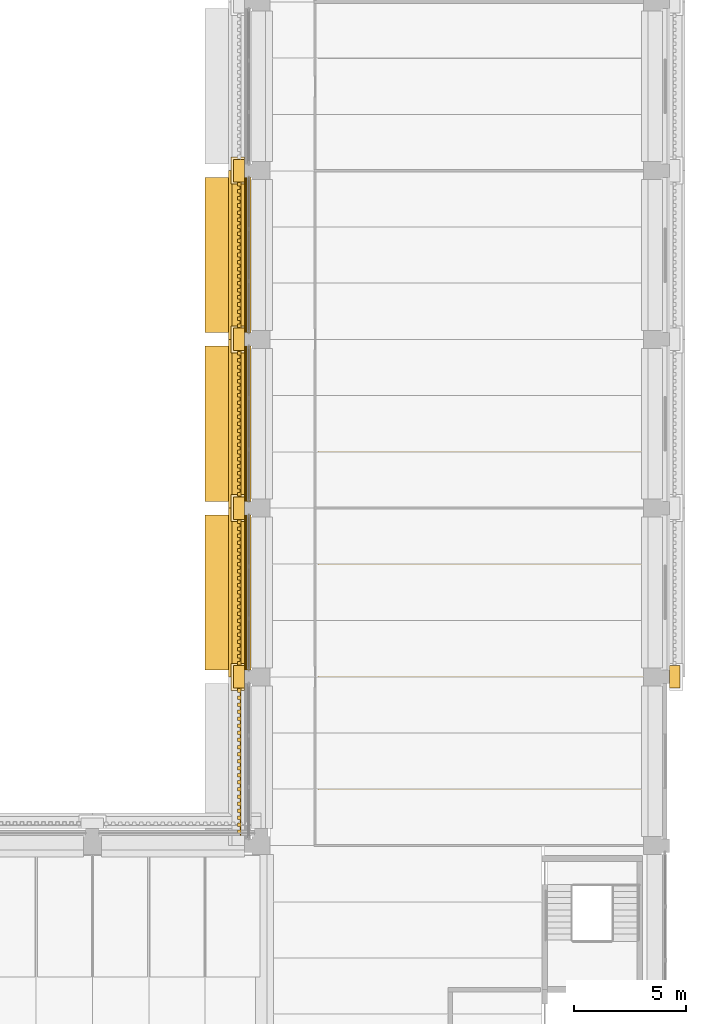
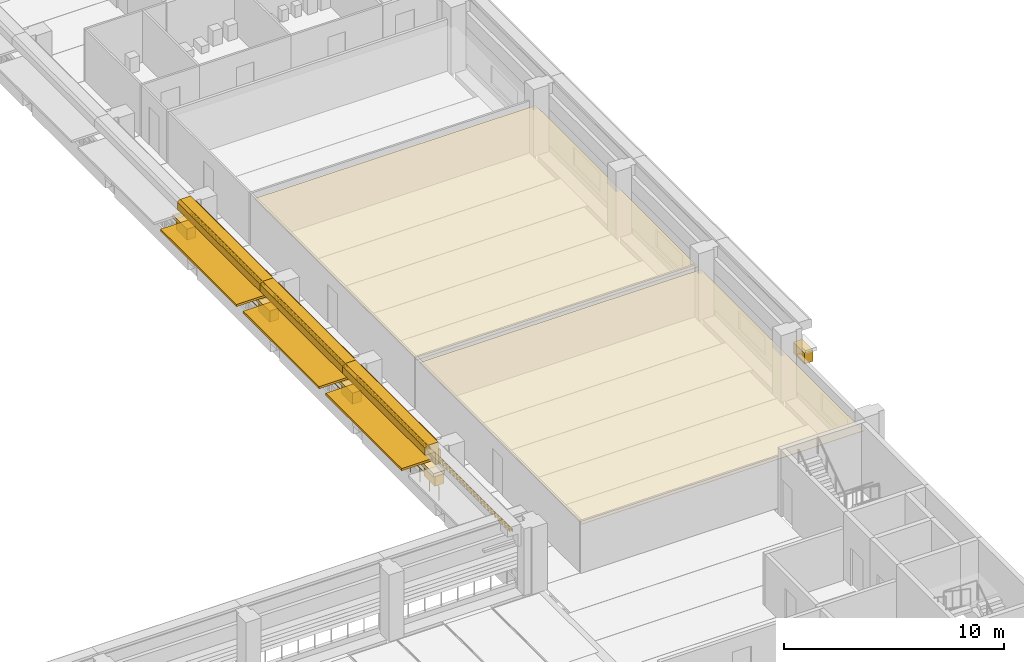
# One storey, part 63 of 71: 21 coverings, 3 railings, 3 shading devices.
"""IFC4 building model written with IfcOpenShell, lengths in metres."""

from ifc_helpers import new_model, si_unit, direction, frame, origin, origin_2d, place, context, subcontext, project, spatial, polyline, circle, outline, extrude, material, layer, layer_set, type_object, element, save


model = new_model("IFC4")

# Units and contexts
model_context = context("Model", 3, precision=1e-05, world=origin(), true_north=direction((0.0, 1.0)))
body_context = subcontext(model_context, "Body", "Model", "MODEL_VIEW")
ifc_project = project(units=[si_unit("LENGTHUNIT", "METRE"), si_unit("AREAUNIT", "SQUARE_METRE"), si_unit("VOLUMEUNIT", "CUBIC_METRE"), si_unit("PLANEANGLEUNIT", "RADIAN"), si_unit("MASSUNIT", "GRAM", prefix="KILO")], contexts=[model_context])

# Site, building, storey
site_placement = place(None, origin())
site = spatial("IfcSite", under=ifc_project, at=site_placement, CompositionType="ELEMENT")
building_placement = place(site_placement, origin())
building = spatial("IfcBuilding", under=site, at=building_placement, Name="Cour d'Honneur Mobility Palace", CompositionType="ELEMENT")
storey_placement = place(building_placement, frame((0.0, 0.0, 15.60009765625)))
storey = spatial("IfcBuildingStorey", under=building, at=storey_placement, Name="L04", CompositionType="ELEMENT", Elevation=15.60009765625)

# Railings
ifc_material_1 = material(Name="Painted steel", Category="steel")
railing_type = type_object("IfcRailingType", Name="Balustrade", PredefinedType="BALUSTRADE", material=ifc_material_1)
for number, where, name in (
    (1, (144.35009765625, 92.10009765625, 0.2998046875), "Balustrade BAL-231"),
    (2, (144.35009765625, 84.60009765625, 0.2998046875), "Balustrade BAL-232"),
    (3, (144.35009765625, 77.10009765625, 0.2998046875), "Balustrade BAL-233"),
):
    element("IfcRailing", number, at=place(storey_placement, frame(where)), inside=storey, type_object=railing_type, Name=name, PredefinedType="BALUSTRADE", context=body_context, shape_type="SweptSolid", body=[
        extrude(circle(Radius=0.02392578125, at=origin_2d()), frame((0.0, 0.0, 0.77587890625), z_axis=(0.0, -1.0, 0.0), x_axis=(1.0, 0.0, 0.0)), (0.0, 0.0, 1.0), 6.900146484375),
        extrude(circle(Radius=0.02099609375, at=origin_2d()), origin(), (0.0, 0.0, 1.0), 0.751953125),
        extrude(circle(Radius=0.02099609375, at=origin_2d()), frame((0.0, -0.862548828125, 0.0)), (0.0, 0.0, 1.0), 0.751953125),
        extrude(circle(Radius=0.02099609375, at=origin_2d()), frame((0.0, -1.72509765625, 0.0)), (0.0, 0.0, 1.0), 0.751953125),
        extrude(circle(Radius=0.02099609375, at=origin_2d()), frame((0.0, -2.587646484375, 0.0)), (0.0, 0.0, 1.0), 0.751953125),
        extrude(circle(Radius=0.02099609375, at=origin_2d()), frame((0.0, -3.4501953125, 0.0)), (0.0, 0.0, 1.0), 0.751953125),
        extrude(circle(Radius=0.02099609375, at=origin_2d()), frame((0.0, -4.3125, 0.0)), (0.0, 0.0, 1.0), 0.751953125),
        extrude(circle(Radius=0.02099609375, at=origin_2d()), frame((0.0, -5.175048828125, 0.0)), (0.0, 0.0, 1.0), 0.751953125),
        extrude(circle(Radius=0.02099609375, at=origin_2d()), frame((0.0, -6.03759765625, 0.0)), (0.0, 0.0, 1.0), 0.751953125),
        extrude(circle(Radius=0.02099609375, at=origin_2d()), frame((0.0, -6.900146484375, 0.0)), (0.0, 0.0, 1.0), 0.751953125),
    ])

# Coverings
ifc_material_2 = material(Name="Cast limestone", Category="masonry")
ifc_layer_1 = layer(ifc_material_2, 0.14990234375)
ifc_layer_set_1 = layer_set([ifc_layer_1], Name="Cast limestone")
covering_type_1 = type_object("IfcCoveringType", Name="Dentil course", PredefinedType="CLADDING", material=ifc_layer_set_1)
covering_1_placement = place(storey_placement, frame((0.0, 0.0, 3.14990234375)))
element("IfcCovering", 4, at=covering_1_placement, inside=storey, type_object=covering_type_1, Name="Dentil course DC-91", PredefinedType="CLADDING", context=body_context, shape_type="SweptSolid", body=[
    extrude(outline(polyline([(144.0, 91.949951171875), (144.0, 85.35009765625), (143.969970703125, 85.35009765625), (143.969970703125, 85.35009765625), (143.969970703125, 85.428466796875), (143.85009765625, 85.428466796875), (143.85009765625, 85.585693359375), (143.969970703125, 85.585693359375), (143.969970703125, 85.664306640625), (143.969970703125, 85.664306640625), (143.969970703125, 85.742919921875), (143.85009765625, 85.742919921875), (143.85009765625, 85.89990234375), (143.969970703125, 85.89990234375), (143.969970703125, 85.978515625), (143.969970703125, 85.978515625), (143.969970703125, 86.05712890625), (143.85009765625, 86.05712890625), (143.85009765625, 86.21435546875), (143.969970703125, 86.21435546875), (143.969970703125, 86.29296875), (143.969970703125, 86.29296875), (143.969970703125, 86.371337890625), (143.85009765625, 86.371337890625), (143.85009765625, 86.528564453125), (143.969970703125, 86.528564453125), (143.969970703125, 86.607177734375), (143.969970703125, 86.607177734375), (143.969970703125, 86.685791015625), (143.85009765625, 86.685791015625), (143.85009765625, 86.8427734375), (143.969970703125, 86.8427734375), (143.969970703125, 86.92138671875), (143.969970703125, 86.92138671875), (143.969970703125, 87.0), (143.85009765625, 87.0), (143.85009765625, 87.1572265625), (143.969970703125, 87.1572265625), (143.969970703125, 87.235595703125), (143.969970703125, 87.235595703125), (143.969970703125, 87.314208984375), (143.85009765625, 87.314208984375), (143.85009765625, 87.471435546875), (143.969970703125, 87.471435546875), (143.969970703125, 87.550048828125), (143.969970703125, 87.550048828125), (143.969970703125, 87.628662109375), (143.85009765625, 87.628662109375), (143.85009765625, 87.78564453125), (143.969970703125, 87.78564453125), (143.969970703125, 87.8642578125), (143.969970703125, 87.8642578125), (143.969970703125, 87.94287109375), (143.85009765625, 87.94287109375), (143.85009765625, 88.10009765625), (143.969970703125, 88.10009765625), (143.969970703125, 88.178466796875), (143.969970703125, 88.178466796875), (143.969970703125, 88.257080078125), (143.85009765625, 88.257080078125), (143.85009765625, 88.414306640625), (143.969970703125, 88.414306640625), (143.969970703125, 88.492919921875), (143.969970703125, 88.492919921875), (143.969970703125, 88.571533203125), (143.85009765625, 88.571533203125), (143.85009765625, 88.728515625), (143.969970703125, 88.728515625), (143.969970703125, 88.80712890625), (143.969970703125, 88.80712890625), (143.969970703125, 88.8857421875), (143.85009765625, 88.8857421875), (143.85009765625, 89.04296875), (143.969970703125, 89.04296875), (143.969970703125, 89.121337890625), (143.969970703125, 89.121337890625), (143.969970703125, 89.199951171875), (143.85009765625, 89.199951171875), (143.85009765625, 89.357177734375), (143.969970703125, 89.357177734375), (143.969970703125, 89.435791015625), (143.969970703125, 89.435791015625), (143.969970703125, 89.514404296875), (143.85009765625, 89.514404296875), (143.85009765625, 89.67138671875), (143.969970703125, 89.67138671875), (143.969970703125, 89.75), (143.969970703125, 89.75), (143.969970703125, 89.82861328125), (143.85009765625, 89.82861328125), (143.85009765625, 89.985595703125), (143.969970703125, 89.985595703125), (143.969970703125, 90.064208984375), (143.969970703125, 90.064208984375), (143.969970703125, 90.142822265625), (143.85009765625, 90.142822265625), (143.85009765625, 90.300048828125), (143.969970703125, 90.300048828125), (143.969970703125, 90.378662109375), (143.969970703125, 90.378662109375), (143.969970703125, 90.45703125), (143.85009765625, 90.45703125), (143.85009765625, 90.6142578125), (143.969970703125, 90.6142578125), (143.969970703125, 90.69287109375), (143.969970703125, 90.69287109375), (143.969970703125, 90.771484375), (143.85009765625, 90.771484375), (143.85009765625, 90.928466796875), (143.969970703125, 90.928466796875), (143.969970703125, 91.007080078125), (143.969970703125, 91.007080078125), (143.969970703125, 91.085693359375), (143.85009765625, 91.085693359375), (143.85009765625, 91.242919921875), (143.969970703125, 91.242919921875), (143.969970703125, 91.321533203125), (143.969970703125, 91.321533203125), (143.969970703125, 91.39990234375), (143.85009765625, 91.39990234375), (143.85009765625, 91.55712890625), (143.969970703125, 91.55712890625), (143.969970703125, 91.6357421875), (143.969970703125, 91.6357421875), (143.969970703125, 91.71435546875), (143.85009765625, 91.71435546875), (143.85009765625, 91.871337890625), (143.969970703125, 91.871337890625), (143.969970703125, 91.949951171875), (144.0, 91.949951171875)])), origin(), (0.0, 0.0, 1.0), 0.14990234375),
])
covering_2_placement = place(storey_placement, frame((0.0, 0.0, 3.14990234375)))
element("IfcCovering", 5, at=covering_2_placement, inside=storey, type_object=covering_type_1, Name="Dentil course DC-92", PredefinedType="CLADDING", context=body_context, shape_type="SweptSolid", body=[
    extrude(outline(polyline([(144.0, 84.449951171875), (144.0, 77.85009765625), (143.969970703125, 77.85009765625), (143.969970703125, 77.85009765625), (143.969970703125, 77.928466796875), (143.85009765625, 77.928466796875), (143.85009765625, 78.085693359375), (143.969970703125, 78.085693359375), (143.969970703125, 78.164306640625), (143.969970703125, 78.164306640625), (143.969970703125, 78.242919921875), (143.85009765625, 78.242919921875), (143.85009765625, 78.39990234375), (143.969970703125, 78.39990234375), (143.969970703125, 78.478515625), (143.969970703125, 78.478515625), (143.969970703125, 78.55712890625), (143.85009765625, 78.55712890625), (143.85009765625, 78.71435546875), (143.969970703125, 78.71435546875), (143.969970703125, 78.79296875), (143.969970703125, 78.79296875), (143.969970703125, 78.871337890625), (143.85009765625, 78.871337890625), (143.85009765625, 79.028564453125), (143.969970703125, 79.028564453125), (143.969970703125, 79.107177734375), (143.969970703125, 79.107177734375), (143.969970703125, 79.185791015625), (143.85009765625, 79.185791015625), (143.85009765625, 79.3427734375), (143.969970703125, 79.3427734375), (143.969970703125, 79.42138671875), (143.969970703125, 79.42138671875), (143.969970703125, 79.5), (143.85009765625, 79.5), (143.85009765625, 79.6572265625), (143.969970703125, 79.6572265625), (143.969970703125, 79.735595703125), (143.969970703125, 79.735595703125), (143.969970703125, 79.814208984375), (143.85009765625, 79.814208984375), (143.85009765625, 79.971435546875), (143.969970703125, 79.971435546875), (143.969970703125, 80.050048828125), (143.969970703125, 80.050048828125), (143.969970703125, 80.128662109375), (143.85009765625, 80.128662109375), (143.85009765625, 80.28564453125), (143.969970703125, 80.28564453125), (143.969970703125, 80.3642578125), (143.969970703125, 80.3642578125), (143.969970703125, 80.44287109375), (143.85009765625, 80.44287109375), (143.85009765625, 80.60009765625), (143.969970703125, 80.60009765625), (143.969970703125, 80.678466796875), (143.969970703125, 80.678466796875), (143.969970703125, 80.757080078125), (143.85009765625, 80.757080078125), (143.85009765625, 80.914306640625), (143.969970703125, 80.914306640625), (143.969970703125, 80.992919921875), (143.969970703125, 80.992919921875), (143.969970703125, 81.071533203125), (143.85009765625, 81.071533203125), (143.85009765625, 81.228515625), (143.969970703125, 81.228515625), (143.969970703125, 81.30712890625), (143.969970703125, 81.30712890625), (143.969970703125, 81.3857421875), (143.85009765625, 81.3857421875), (143.85009765625, 81.54296875), (143.969970703125, 81.54296875), (143.969970703125, 81.621337890625), (143.969970703125, 81.621337890625), (143.969970703125, 81.699951171875), (143.85009765625, 81.699951171875), (143.85009765625, 81.857177734375), (143.969970703125, 81.857177734375), (143.969970703125, 81.935791015625), (143.969970703125, 81.935791015625), (143.969970703125, 82.014404296875), (143.85009765625, 82.014404296875), (143.85009765625, 82.17138671875), (143.969970703125, 82.17138671875), (143.969970703125, 82.25), (143.969970703125, 82.25), (143.969970703125, 82.32861328125), (143.85009765625, 82.32861328125), (143.85009765625, 82.485595703125), (143.969970703125, 82.485595703125), (143.969970703125, 82.564208984375), (143.969970703125, 82.564208984375), (143.969970703125, 82.642822265625), (143.85009765625, 82.642822265625), (143.85009765625, 82.800048828125), (143.969970703125, 82.800048828125), (143.969970703125, 82.878662109375), (143.969970703125, 82.878662109375), (143.969970703125, 82.95703125), (143.85009765625, 82.95703125), (143.85009765625, 83.1142578125), (143.969970703125, 83.1142578125), (143.969970703125, 83.19287109375), (143.969970703125, 83.19287109375), (143.969970703125, 83.271484375), (143.85009765625, 83.271484375), (143.85009765625, 83.428466796875), (143.969970703125, 83.428466796875), (143.969970703125, 83.507080078125), (143.969970703125, 83.507080078125), (143.969970703125, 83.585693359375), (143.85009765625, 83.585693359375), (143.85009765625, 83.742919921875), (143.969970703125, 83.742919921875), (143.969970703125, 83.821533203125), (143.969970703125, 83.821533203125), (143.969970703125, 83.89990234375), (143.85009765625, 83.89990234375), (143.85009765625, 84.05712890625), (143.969970703125, 84.05712890625), (143.969970703125, 84.1357421875), (143.969970703125, 84.1357421875), (143.969970703125, 84.21435546875), (143.85009765625, 84.21435546875), (143.85009765625, 84.371337890625), (143.969970703125, 84.371337890625), (143.969970703125, 84.449951171875), (144.0, 84.449951171875)])), origin(), (0.0, 0.0, 1.0), 0.14990234375),
])
covering_3_placement = place(storey_placement, frame((0.0, 0.0, 3.14990234375)))
element("IfcCovering", 6, at=covering_3_placement, inside=storey, type_object=covering_type_1, Name="Dentil course DC-93", PredefinedType="CLADDING", context=body_context, shape_type="SweptSolid", body=[
    extrude(outline(polyline([(144.0, 76.949951171875), (144.0, 70.35009765625), (143.969970703125, 70.35009765625), (143.969970703125, 70.35009765625), (143.969970703125, 70.428466796875), (143.85009765625, 70.428466796875), (143.85009765625, 70.585693359375), (143.969970703125, 70.585693359375), (143.969970703125, 70.664306640625), (143.969970703125, 70.664306640625), (143.969970703125, 70.742919921875), (143.85009765625, 70.742919921875), (143.85009765625, 70.89990234375), (143.969970703125, 70.89990234375), (143.969970703125, 70.978515625), (143.969970703125, 70.978515625), (143.969970703125, 71.05712890625), (143.85009765625, 71.05712890625), (143.85009765625, 71.21435546875), (143.969970703125, 71.21435546875), (143.969970703125, 71.29296875), (143.969970703125, 71.29296875), (143.969970703125, 71.371337890625), (143.85009765625, 71.371337890625), (143.85009765625, 71.528564453125), (143.969970703125, 71.528564453125), (143.969970703125, 71.607177734375), (143.969970703125, 71.607177734375), (143.969970703125, 71.685791015625), (143.85009765625, 71.685791015625), (143.85009765625, 71.8427734375), (143.969970703125, 71.8427734375), (143.969970703125, 71.92138671875), (143.969970703125, 71.92138671875), (143.969970703125, 72.0), (143.85009765625, 72.0), (143.85009765625, 72.1572265625), (143.969970703125, 72.1572265625), (143.969970703125, 72.235595703125), (143.969970703125, 72.235595703125), (143.969970703125, 72.314208984375), (143.85009765625, 72.314208984375), (143.85009765625, 72.471435546875), (143.969970703125, 72.471435546875), (143.969970703125, 72.550048828125), (143.969970703125, 72.550048828125), (143.969970703125, 72.628662109375), (143.85009765625, 72.628662109375), (143.85009765625, 72.78564453125), (143.969970703125, 72.78564453125), (143.969970703125, 72.8642578125), (143.969970703125, 72.8642578125), (143.969970703125, 72.94287109375), (143.85009765625, 72.94287109375), (143.85009765625, 73.10009765625), (143.969970703125, 73.10009765625), (143.969970703125, 73.178466796875), (143.969970703125, 73.178466796875), (143.969970703125, 73.257080078125), (143.85009765625, 73.257080078125), (143.85009765625, 73.414306640625), (143.969970703125, 73.414306640625), (143.969970703125, 73.492919921875), (143.969970703125, 73.492919921875), (143.969970703125, 73.571533203125), (143.85009765625, 73.571533203125), (143.85009765625, 73.728515625), (143.969970703125, 73.728515625), (143.969970703125, 73.80712890625), (143.969970703125, 73.80712890625), (143.969970703125, 73.8857421875), (143.85009765625, 73.8857421875), (143.85009765625, 74.04296875), (143.969970703125, 74.04296875), (143.969970703125, 74.121337890625), (143.969970703125, 74.121337890625), (143.969970703125, 74.199951171875), (143.85009765625, 74.199951171875), (143.85009765625, 74.357177734375), (143.969970703125, 74.357177734375), (143.969970703125, 74.435791015625), (143.969970703125, 74.435791015625), (143.969970703125, 74.514404296875), (143.85009765625, 74.514404296875), (143.85009765625, 74.67138671875), (143.969970703125, 74.67138671875), (143.969970703125, 74.75), (143.969970703125, 74.75), (143.969970703125, 74.82861328125), (143.85009765625, 74.82861328125), (143.85009765625, 74.985595703125), (143.969970703125, 74.985595703125), (143.969970703125, 75.064208984375), (143.969970703125, 75.064208984375), (143.969970703125, 75.142822265625), (143.85009765625, 75.142822265625), (143.85009765625, 75.300048828125), (143.969970703125, 75.300048828125), (143.969970703125, 75.378662109375), (143.969970703125, 75.378662109375), (143.969970703125, 75.45703125), (143.85009765625, 75.45703125), (143.85009765625, 75.6142578125), (143.969970703125, 75.6142578125), (143.969970703125, 75.69287109375), (143.969970703125, 75.69287109375), (143.969970703125, 75.771484375), (143.85009765625, 75.771484375), (143.85009765625, 75.928466796875), (143.969970703125, 75.928466796875), (143.969970703125, 76.007080078125), (143.969970703125, 76.007080078125), (143.969970703125, 76.085693359375), (143.85009765625, 76.085693359375), (143.85009765625, 76.242919921875), (143.969970703125, 76.242919921875), (143.969970703125, 76.321533203125), (143.969970703125, 76.321533203125), (143.969970703125, 76.39990234375), (143.85009765625, 76.39990234375), (143.85009765625, 76.55712890625), (143.969970703125, 76.55712890625), (143.969970703125, 76.6357421875), (143.969970703125, 76.6357421875), (143.969970703125, 76.71435546875), (143.85009765625, 76.71435546875), (143.85009765625, 76.871337890625), (143.969970703125, 76.871337890625), (143.969970703125, 76.949951171875), (144.0, 76.949951171875)])), origin(), (0.0, 0.0, 1.0), 0.14990234375),
])
covering_4_placement = place(storey_placement, frame((0.0, 0.0, 3.14990234375)))
element("IfcCovering", 7, at=covering_4_placement, inside=storey, type_object=covering_type_1, Name="Dentil course DC-94", PredefinedType="CLADDING", context=body_context, shape_type="SweptSolid", body=[
    extrude(outline(polyline([(144.0, 69.449951171875), (144.0, 62.85009765625), (143.969970703125, 62.85009765625), (143.969970703125, 62.85009765625), (143.969970703125, 62.928466796875), (143.85009765625, 62.928466796875), (143.85009765625, 63.085693359375), (143.969970703125, 63.085693359375), (143.969970703125, 63.164306640625), (143.969970703125, 63.164306640625), (143.969970703125, 63.242919921875), (143.85009765625, 63.242919921875), (143.85009765625, 63.39990234375), (143.969970703125, 63.39990234375), (143.969970703125, 63.478515625), (143.969970703125, 63.478515625), (143.969970703125, 63.55712890625), (143.85009765625, 63.55712890625), (143.85009765625, 63.71435546875), (143.969970703125, 63.71435546875), (143.969970703125, 63.79296875), (143.969970703125, 63.79296875), (143.969970703125, 63.871337890625), (143.85009765625, 63.871337890625), (143.85009765625, 64.028564453125), (143.969970703125, 64.028564453125), (143.969970703125, 64.107177734375), (143.969970703125, 64.107177734375), (143.969970703125, 64.185791015625), (143.85009765625, 64.185791015625), (143.85009765625, 64.3427734375), (143.969970703125, 64.3427734375), (143.969970703125, 64.42138671875), (143.969970703125, 64.42138671875), (143.969970703125, 64.5), (143.85009765625, 64.5), (143.85009765625, 64.6572265625), (143.969970703125, 64.6572265625), (143.969970703125, 64.735595703125), (143.969970703125, 64.735595703125), (143.969970703125, 64.814208984375), (143.85009765625, 64.814208984375), (143.85009765625, 64.971435546875), (143.969970703125, 64.971435546875), (143.969970703125, 65.050048828125), (143.969970703125, 65.050048828125), (143.969970703125, 65.128662109375), (143.85009765625, 65.128662109375), (143.85009765625, 65.28564453125), (143.969970703125, 65.28564453125), (143.969970703125, 65.3642578125), (143.969970703125, 65.3642578125), (143.969970703125, 65.44287109375), (143.85009765625, 65.44287109375), (143.85009765625, 65.60009765625), (143.969970703125, 65.60009765625), (143.969970703125, 65.678466796875), (143.969970703125, 65.678466796875), (143.969970703125, 65.757080078125), (143.85009765625, 65.757080078125), (143.85009765625, 65.914306640625), (143.969970703125, 65.914306640625), (143.969970703125, 65.992919921875), (143.969970703125, 65.992919921875), (143.969970703125, 66.071533203125), (143.85009765625, 66.071533203125), (143.85009765625, 66.228515625), (143.969970703125, 66.228515625), (143.969970703125, 66.30712890625), (143.969970703125, 66.30712890625), (143.969970703125, 66.3857421875), (143.85009765625, 66.3857421875), (143.85009765625, 66.54296875), (143.969970703125, 66.54296875), (143.969970703125, 66.621337890625), (143.969970703125, 66.621337890625), (143.969970703125, 66.699951171875), (143.85009765625, 66.699951171875), (143.85009765625, 66.857177734375), (143.969970703125, 66.857177734375), (143.969970703125, 66.935791015625), (143.969970703125, 66.935791015625), (143.969970703125, 67.014404296875), (143.85009765625, 67.014404296875), (143.85009765625, 67.17138671875), (143.969970703125, 67.17138671875), (143.969970703125, 67.25), (143.969970703125, 67.25), (143.969970703125, 67.32861328125), (143.85009765625, 67.32861328125), (143.85009765625, 67.485595703125), (143.969970703125, 67.485595703125), (143.969970703125, 67.564208984375), (143.969970703125, 67.564208984375), (143.969970703125, 67.642822265625), (143.85009765625, 67.642822265625), (143.85009765625, 67.800048828125), (143.969970703125, 67.800048828125), (143.969970703125, 67.878662109375), (143.969970703125, 67.878662109375), (143.969970703125, 67.95703125), (143.85009765625, 67.95703125), (143.85009765625, 68.1142578125), (143.969970703125, 68.1142578125), (143.969970703125, 68.19287109375), (143.969970703125, 68.19287109375), (143.969970703125, 68.271484375), (143.85009765625, 68.271484375), (143.85009765625, 68.428466796875), (143.969970703125, 68.428466796875), (143.969970703125, 68.507080078125), (143.969970703125, 68.507080078125), (143.969970703125, 68.585693359375), (143.85009765625, 68.585693359375), (143.85009765625, 68.742919921875), (143.969970703125, 68.742919921875), (143.969970703125, 68.821533203125), (143.969970703125, 68.821533203125), (143.969970703125, 68.89990234375), (143.85009765625, 68.89990234375), (143.85009765625, 69.05712890625), (143.969970703125, 69.05712890625), (143.969970703125, 69.1357421875), (143.969970703125, 69.1357421875), (143.969970703125, 69.21435546875), (143.85009765625, 69.21435546875), (143.85009765625, 69.371337890625), (143.969970703125, 69.371337890625), (143.969970703125, 69.449951171875), (144.0, 69.449951171875)])), origin(), (0.0, 0.0, 1.0), 0.14990234375),
])

# Shading devices
ifc_material_3 = material(Name="Anodised aluminium", Category="aluminium")
ifc_layer_2 = layer(ifc_material_3, 0.1201171875)
ifc_layer_set_2 = layer_set([ifc_layer_2], Name="Anodised aluminium")
shading_device_type = type_object("IfcShadingDeviceType", Name="Eave sunshade 1800", PredefinedType="AWNING", material=ifc_layer_set_2)
shading_device_1_placement = place(storey_placement, frame((0.0, 0.0, 2.6298828125)))
element("IfcShadingDevice", 8, at=shading_device_1_placement, inside=storey, type_object=shading_device_type, Name="Sunshade W7.3 L04", PredefinedType="AWNING", context=body_context, shape_type="SweptSolid", body=[
    extrude(outline(polyline([(144.199951171875, 92.10009765625), (144.199951171875, 85.199951171875), (142.39990234375, 85.199951171875), (142.39990234375, 92.10009765625), (144.199951171875, 92.10009765625)])), origin(), (0.0, 0.0, 1.0), 0.1201171875),
])
shading_device_2_placement = place(storey_placement, frame((0.0, 0.0, 2.6298828125)))
element("IfcShadingDevice", 9, at=shading_device_2_placement, inside=storey, type_object=shading_device_type, Name="Sunshade W7.4 L04", PredefinedType="AWNING", context=body_context, shape_type="SweptSolid", body=[
    extrude(outline(polyline([(144.199951171875, 84.60009765625), (144.199951171875, 77.699951171875), (142.39990234375, 77.699951171875), (142.39990234375, 84.60009765625), (144.199951171875, 84.60009765625)])), origin(), (0.0, 0.0, 1.0), 0.1201171875),
])
shading_device_3_placement = place(storey_placement, frame((0.0, 0.0, 2.6298828125)))
element("IfcShadingDevice", 10, at=shading_device_3_placement, inside=storey, type_object=shading_device_type, Name="Sunshade W7.5 L04", PredefinedType="AWNING", context=body_context, shape_type="SweptSolid", body=[
    extrude(outline(polyline([(144.199951171875, 77.10009765625), (144.199951171875, 70.199951171875), (142.39990234375, 70.199951171875), (142.39990234375, 77.10009765625), (144.199951171875, 77.10009765625)])), origin(), (0.0, 0.0, 1.0), 0.1201171875),
])

# Coverings
ifc_material_4 = material(Name="Cast limestone", Category="masonry")
ifc_layer_3 = layer(ifc_material_4, 0.699951171875)
ifc_layer_set_3 = layer_set([ifc_layer_3], Name="Cast limestone")
covering_type_2 = type_object("IfcCoveringType", Name="Entablature", PredefinedType="CLADDING", material=ifc_layer_set_3)
for number, where, z_axis, x_axis, name in (
    (11, (144.14990234375, 92.39990234375, 2.599853515625), (0.0, 1.0, 0.0), (-1.0, 0.0, 0.0), "Entablature EN-91"),
    (12, (144.14990234375, 84.89990234375, 2.599853515625), (0.0, 1.0, 0.0), (-1.0, 0.0, 0.0), "Entablature EN-92"),
    (13, (144.14990234375, 77.39990234375, 2.599853515625), (0.0, 1.0, 0.0), (-1.0, 0.0, 0.0), "Entablature EN-93"),
):
    element("IfcCovering", number, at=place(storey_placement, frame(where, z_axis=z_axis, x_axis=x_axis)), inside=storey, type_object=covering_type_2, Name=name, PredefinedType="CLADDING", context=body_context, shape_type="SweptSolid", body=[
        extrude(outline(polyline([(0.0, 0.0), (0.14990234375, 0.0), (0.14990234375, 0.699951171875), (0.699951171875, 0.699951171875), (0.699951171875, 1.10009765625), (0.5498046875, 1.199951171875), (0.0, 1.199951171875), (0.0, 0.0)])), origin(), (0.0, 0.0, -1.0), 7.5),
    ])
ifc_material_5 = material(Name="Cast limestone", Category="masonry")
ifc_layer_4 = layer(ifc_material_5, 0.1201171875)
ifc_layer_set_4 = layer_set([ifc_layer_4], Name="Cast limestone")
covering_type_3 = type_object("IfcCoveringType", Name="Pilaster capital", PredefinedType="CLADDING", material=ifc_layer_set_4)
covering_5_placement = place(storey_placement, frame((0.0, 0.0, 1.7998046875)))
element("IfcCovering", 14, at=covering_5_placement, inside=storey, type_object=covering_type_3, Name="Pilaster capital PK-89", PredefinedType="CLADDING", context=body_context, shape_type="SweptSolid", body=[
    extrude(outline(polyline([(163.050048828125, 69.39990234375), (163.050048828125, 70.39990234375), (163.52001953125, 70.39990234375), (163.52001953125, 69.39990234375), (163.050048828125, 69.39990234375)])), origin(), (0.0, 0.0, 1.0), 0.6201171875),
])
covering_6_placement = place(storey_placement, frame((0.0, 0.0, 1.7998046875)))
element("IfcCovering", 15, at=covering_6_placement, inside=storey, type_object=covering_type_3, Name="Pilaster capital PK-113", PredefinedType="CLADDING", context=body_context, shape_type="SweptSolid", body=[
    extrude(outline(polyline([(144.14990234375, 92.89990234375), (144.14990234375, 91.89990234375), (143.679931640625, 91.89990234375), (143.679931640625, 92.89990234375), (144.14990234375, 92.89990234375)])), origin(), (0.0, 0.0, 1.0), 0.6201171875),
])
covering_7_placement = place(storey_placement, frame((0.0, 0.0, 2.419921875)))
element("IfcCovering", 16, at=covering_7_placement, inside=storey, type_object=covering_type_3, Name="Pilaster capital PK-114", PredefinedType="CLADDING", context=body_context, shape_type="SweptSolid", body=[
    extrude(outline(polyline([(144.14990234375, 93.0), (144.14990234375, 91.800048828125), (143.550048828125, 91.800048828125), (143.550048828125, 93.0), (144.14990234375, 93.0)])), origin(), (0.0, 0.0, 1.0), 0.179931640625),
])
covering_8_placement = place(storey_placement, frame((0.0, 0.0, 1.7998046875)))
element("IfcCovering", 17, at=covering_8_placement, inside=storey, type_object=covering_type_3, Name="Pilaster capital PK-115", PredefinedType="CLADDING", context=body_context, shape_type="SweptSolid", body=[
    extrude(outline(polyline([(144.14990234375, 85.39990234375), (144.14990234375, 84.39990234375), (143.679931640625, 84.39990234375), (143.679931640625, 85.39990234375), (144.14990234375, 85.39990234375)])), origin(), (0.0, 0.0, 1.0), 0.6201171875),
])
covering_9_placement = place(storey_placement, frame((0.0, 0.0, 2.419921875)))
element("IfcCovering", 18, at=covering_9_placement, inside=storey, type_object=covering_type_3, Name="Pilaster capital PK-116", PredefinedType="CLADDING", context=body_context, shape_type="SweptSolid", body=[
    extrude(outline(polyline([(144.14990234375, 85.5), (144.14990234375, 84.300048828125), (143.550048828125, 84.300048828125), (143.550048828125, 85.5), (144.14990234375, 85.5)])), origin(), (0.0, 0.0, 1.0), 0.179931640625),
])
covering_10_placement = place(storey_placement, frame((0.0, 0.0, 1.7998046875)))
element("IfcCovering", 19, at=covering_10_placement, inside=storey, type_object=covering_type_3, Name="Pilaster capital PK-117", PredefinedType="CLADDING", context=body_context, shape_type="SweptSolid", body=[
    extrude(outline(polyline([(144.14990234375, 77.89990234375), (144.14990234375, 76.89990234375), (143.679931640625, 76.89990234375), (143.679931640625, 77.89990234375), (144.14990234375, 77.89990234375)])), origin(), (0.0, 0.0, 1.0), 0.6201171875),
])
covering_11_placement = place(storey_placement, frame((0.0, 0.0, 2.419921875)))
element("IfcCovering", 20, at=covering_11_placement, inside=storey, type_object=covering_type_3, Name="Pilaster capital PK-118", PredefinedType="CLADDING", context=body_context, shape_type="SweptSolid", body=[
    extrude(outline(polyline([(144.14990234375, 78.0), (144.14990234375, 76.800048828125), (143.550048828125, 76.800048828125), (143.550048828125, 78.0), (144.14990234375, 78.0)])), origin(), (0.0, 0.0, 1.0), 0.179931640625),
])
covering_12_placement = place(storey_placement, frame((0.0, 0.0, 1.7998046875)))
element("IfcCovering", 21, at=covering_12_placement, inside=storey, type_object=covering_type_3, Name="Pilaster capital PK-119", PredefinedType="CLADDING", context=body_context, shape_type="SweptSolid", body=[
    extrude(outline(polyline([(144.14990234375, 70.39990234375), (144.14990234375, 69.39990234375), (143.679931640625, 69.39990234375), (143.679931640625, 70.39990234375), (144.14990234375, 70.39990234375)])), origin(), (0.0, 0.0, 1.0), 0.6201171875),
])
covering_13_placement = place(storey_placement, frame((0.0, 0.0, 2.419921875)))
element("IfcCovering", 22, at=covering_13_placement, inside=storey, type_object=covering_type_3, Name="Pilaster capital PK-120", PredefinedType="CLADDING", context=body_context, shape_type="SweptSolid", body=[
    extrude(outline(polyline([(144.14990234375, 70.5), (144.14990234375, 69.300048828125), (143.550048828125, 69.300048828125), (143.550048828125, 70.5), (144.14990234375, 70.5)])), origin(), (0.0, 0.0, 1.0), 0.179931640625),
])
ifc_material_6 = material(Name="Cast limestone", Category="masonry")
ifc_layer_5 = layer(ifc_material_6, 0.25)
ifc_layer_set_5 = layer_set([ifc_layer_5], Name="Cast limestone")
covering_type_4 = type_object("IfcCoveringType", Name="Spandrel cladding", PredefinedType="CLADDING", material=ifc_layer_set_5)
for number, where, z_axis, x_axis, name in (
    (23, (144.449951171875, 92.10009765625, 2.2998046875), (0.0, 1.0, 0.0), (-1.0, 0.0, 0.0), "Spandrel cladding SK-310"),
    (24, (144.449951171875, 84.60009765625, 2.2998046875), (0.0, 1.0, 0.0), (-1.0, 0.0, 0.0), "Spandrel cladding SK-311"),
    (25, (144.449951171875, 77.10009765625, 2.2998046875), (0.0, 1.0, 0.0), (-1.0, 0.0, 0.0), "Spandrel cladding SK-312"),
):
    element("IfcCovering", number, at=place(storey_placement, frame(where, z_axis=z_axis, x_axis=x_axis)), inside=storey, type_object=covering_type_4, Name=name, PredefinedType="CLADDING", context=body_context, shape_type="SweptSolid", body=[
        extrude(outline(polyline([(0.0, 0.0), (0.25, 0.0), (0.25, 1.400146484375), (0.199951171875, 1.400146484375), (0.199951171875, 0.800048828125), (0.0, 0.800048828125), (0.0, 0.0)])), origin(), (0.0, 0.0, -1.0), 6.89990234375),
    ])
ifc_material_7 = material(Name="Suspended ceiling")
ifc_layer_6 = layer(ifc_material_7, 0.030029296875)
ifc_layer_set_6 = layer_set([ifc_layer_6], Name="Suspended ceiling")
covering_type_5 = type_object("IfcCoveringType", Name="Suspended ceiling", PredefinedType="CEILING", material=ifc_layer_set_6)
covering_14_placement = place(storey_placement, frame((0.0, 0.0, 2.5498046875)))
element("IfcCovering", 26, at=covering_14_placement, inside=storey, type_object=covering_type_5, Name="Ceiling Community Room 1", PredefinedType="CEILING", context=body_context, shape_type="SweptSolid", body=[
    extrude(outline(polyline([(162.179931640625, 62.52001953125), (147.419921875, 62.52001953125), (147.419921875, 77.280029296875), (162.179931640625, 77.280029296875), (162.179931640625, 62.52001953125)])), origin(), (0.0, 0.0, 1.0), 0.030029296875),
])
covering_15_placement = place(storey_placement, frame((0.0, 0.0, 2.5498046875)))
element("IfcCovering", 27, at=covering_15_placement, inside=storey, type_object=covering_type_5, Name="Ceiling Community Room 2", PredefinedType="CEILING", context=body_context, shape_type="SweptSolid", body=[
    extrude(outline(polyline([(162.179931640625, 77.52001953125), (147.419921875, 77.52001953125), (147.419921875, 92.280029296875), (162.179931640625, 92.280029296875), (162.179931640625, 77.52001953125)])), origin(), (0.0, 0.0, 1.0), 0.030029296875),
])

save(model, "model.ifc")
